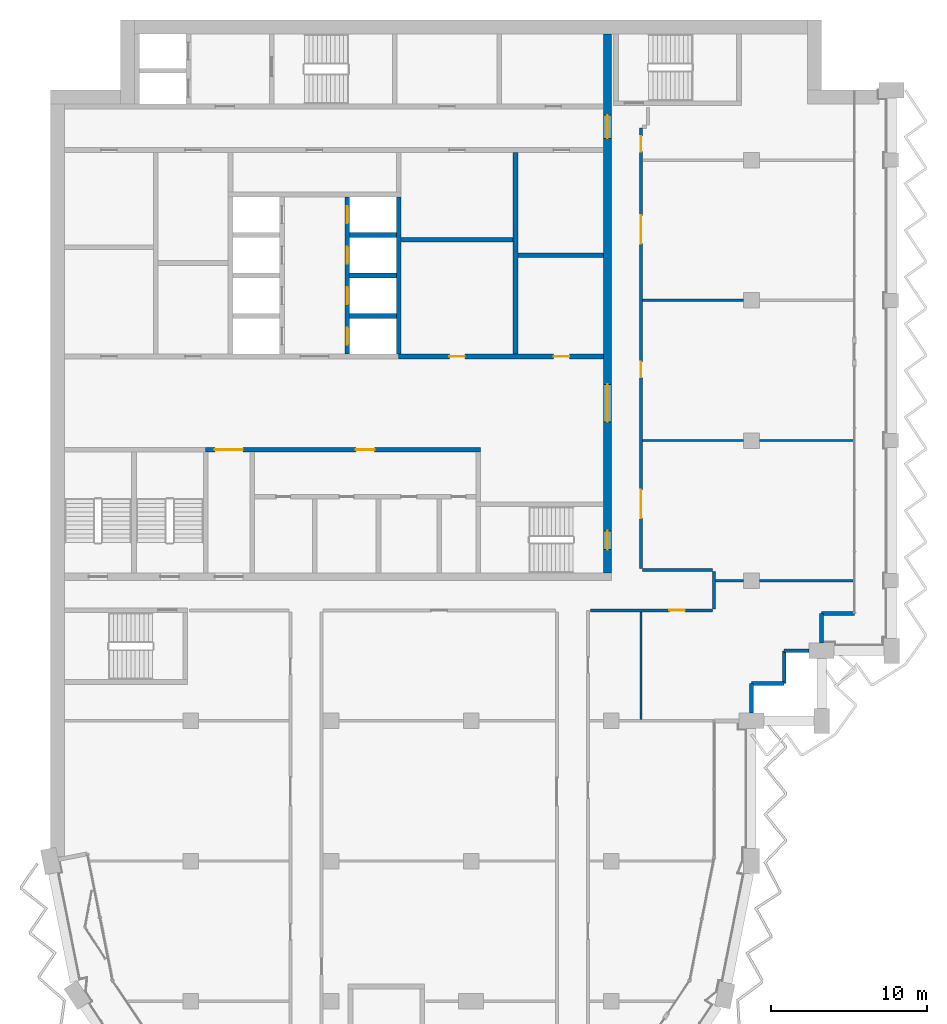
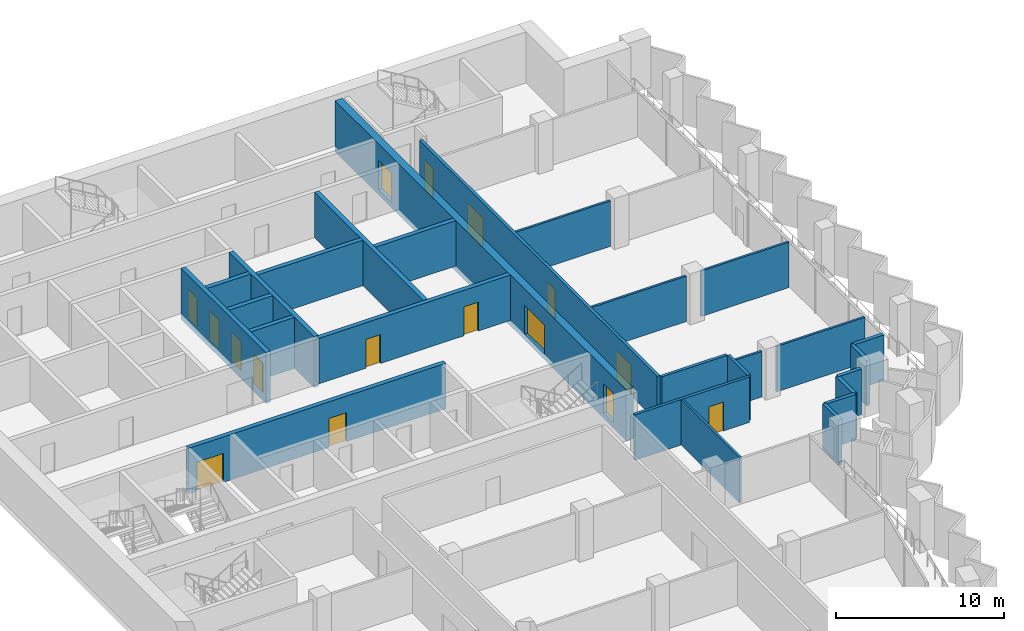
# One storey, part 10 of 17: 27 walls, 16 doors, 16 openings.
"""IFC4 building model written with IfcOpenShell, lengths in metres."""

from ifc_helpers import new_model, si_unit, direction, frame, frame_2d, origin, place, context, subcontext, project, spatial, rectangle, extrude, material, layer, layer_set, type_object, element, fill, save


model = new_model("IFC4")

# Units and contexts
model_context = context("Model", 3, precision=1e-05, world=origin(), true_north=direction((0.0, 1.0)))
body_context = subcontext(model_context, "Body", "Model", "MODEL_VIEW")
ifc_project = project(units=[si_unit("LENGTHUNIT", "METRE"), si_unit("AREAUNIT", "SQUARE_METRE"), si_unit("VOLUMEUNIT", "CUBIC_METRE"), si_unit("PLANEANGLEUNIT", "RADIAN"), si_unit("MASSUNIT", "GRAM", prefix="KILO")], contexts=[model_context])

# Site, building, storey
site_placement = place(None, origin())
site = spatial("IfcSite", under=ifc_project, at=site_placement, CompositionType="ELEMENT")
building_placement = place(site_placement, origin())
building = spatial("IfcBuilding", under=site, at=building_placement, Name="Hunhe Ridgeline Campus", CompositionType="ELEMENT")
storey_placement = place(building_placement, frame((0.0, 0.0, 268.800048828125)))
storey = spatial("IfcBuildingStorey", under=building, at=storey_placement, Name="L69", CompositionType="ELEMENT", Elevation=268.800048828125)

# Wall, openings, doors
ifc_material_1 = material(Name="Masonry concrete blockwork", Category="masonry")
ifc_layer_1 = layer(ifc_material_1, 0.300048828125)
ifc_layer_set_1 = layer_set([ifc_layer_1], Name="Core room partition 300 concrete block")
wall_type_1 = type_object("IfcWallType", Name="Core room partition 300 concrete block", PredefinedType="PARTITIONING", material=ifc_layer_set_1)
wall_1_placement = place(storey_placement, frame((9.949951171875, 71.39990234375, 0.0), z_axis=(0.0, 0.0, 1.0), x_axis=(1.0, 0.0, 0.0)))
wall_1 = element("IfcWall", 1, at=wall_1_placement, inside=storey, type_object=wall_type_1, Name="L69 core partition 9", PredefinedType="PARTITIONING", context=body_context, shape_type="SweptSolid", body=[
    extrude(rectangle(XDim=17.650146484375, YDim=0.300048828125, at=frame_2d((8.8251953125, 0.0))), origin(), (0.0, 0.0, 1.0), 3.300048828125),
])
opening_1_placement = place(wall_1_placement, frame((0.60009765625, 0.0, 0.0)))
opening_1 = element("IfcOpeningElement", 2, at=opening_1_placement, cuts=wall_1, Name="Opening CD7", PredefinedType="OPENING", context=body_context, shape_type="SweptSolid", body=[
    extrude(rectangle(XDim=1.800048828125, YDim=2.10009765625, at=frame_2d((0.89990234375, 1.050048828125))), frame((0.0, 0.14990234375, 0.0), z_axis=(0.0, -1.0, 0.0), x_axis=(1.0, 0.0, 0.0)), (0.0, 0.0, 1.0), 0.300048828125),
])
opening_2_placement = place(wall_1_placement, frame((9.64990234375, 0.0, 0.0)))
opening_2 = element("IfcOpeningElement", 3, at=opening_2_placement, cuts=wall_1, Name="Opening CD12", PredefinedType="OPENING", context=body_context, shape_type="SweptSolid", body=[
    extrude(rectangle(XDim=1.199951171875, YDim=2.10009765625, at=frame_2d((0.60009765625, 1.050048828125))), frame((0.0, 0.14990234375, 0.0), z_axis=(0.0, -1.0, 0.0), x_axis=(1.0, 0.0, 0.0)), (0.0, 0.0, 1.0), 0.300048828125),
])
ifc_material_2 = material(Name="Anodised aluminium and glass", Category="aluminium")
door_type_1 = type_object("IfcDoorType", Name="Glazed double door 1800x2100", OperationType="DOUBLE_DOOR_SINGLE_SWING", PredefinedType="DOOR", material=ifc_material_2)
door_1_placement = place(opening_1_placement, origin())
door_1 = element("IfcDoor", 4, at=door_1_placement, inside=storey, type_object=door_type_1, Name="L69 door VEST-HALL", OperationType="DOUBLE_DOOR_SINGLE_SWING", OverallHeight=2.10009765625, OverallWidth=1.800048828125, PredefinedType="DOOR", context=body_context, shape_type="SweptSolid", body=[
    extrude(rectangle(XDim=1.800048828125, YDim=2.10009765625, at=frame_2d((0.89990234375, 1.050048828125))), frame((0.0, 0.02490234375, 0.0), z_axis=(0.0, -1.0, 0.0), x_axis=(1.0, 0.0, 0.0)), (0.0, 0.0, 1.0), 0.050048828125),
])
fill(opening_1, door_1)
ifc_material_3 = material(Name="Solid core timber door leaf", Category="wood")
door_type_2 = type_object("IfcDoorType", Name="Timber door 1200x2100", OperationType="SINGLE_SWING_LEFT", PredefinedType="DOOR", material=ifc_material_3)
door_2_placement = place(opening_2_placement, origin())
door_2 = element("IfcDoor", 5, at=door_2_placement, inside=storey, type_object=door_type_2, Name="L69 door WCL2-HALL", OperationType="SINGLE_SWING_RIGHT", OverallHeight=2.10009765625, OverallWidth=1.199951171875, PredefinedType="DOOR", context=body_context, shape_type="SweptSolid", body=[
    extrude(rectangle(XDim=1.199951171875, YDim=2.10009765625, at=frame_2d((0.60009765625, 1.050048828125))), frame((0.0, 0.02490234375, 0.0), z_axis=(0.0, -1.0, 0.0), x_axis=(1.0, 0.0, 0.0)), (0.0, 0.0, 1.0), 0.050048828125),
])
fill(opening_2, door_2)

wall_2_placement = place(storey_placement, frame((22.35009765625, 77.39990234375, 0.0), z_axis=(0.0, 0.0, 1.0), x_axis=(1.0, 0.0, 0.0)))
wall_2 = element("IfcWall", 6, at=wall_2_placement, inside=storey, type_object=wall_type_1, Name="L69 core partition 11", PredefinedType="PARTITIONING", context=body_context, shape_type="SweptSolid", body=[
    extrude(rectangle(XDim=13.14990234375, YDim=0.300048828125, at=frame_2d((6.574951171875, 0.0))), origin(), (0.0, 0.0, 1.0), 3.300048828125),
])
opening_3_placement = place(wall_2_placement, frame((3.25, 0.0, 0.0)))
opening_3 = element("IfcOpeningElement", 7, at=opening_3_placement, cuts=wall_2, Name="Opening CD32", PredefinedType="OPENING", context=body_context, shape_type="SweptSolid", body=[
    extrude(rectangle(XDim=1.0, YDim=2.10009765625, at=frame_2d((0.5, 1.050048828125))), frame((0.0, 0.14990234375, 0.0), z_axis=(0.0, -1.0, 0.0), x_axis=(1.0, 0.0, 0.0)), (0.0, 0.0, 1.0), 0.300048828125),
])
opening_4_placement = place(wall_2_placement, frame((9.949951171875, 0.0, 0.0)))
opening_4 = element("IfcOpeningElement", 8, at=opening_4_placement, cuts=wall_2, Name="Opening CD42", PredefinedType="OPENING", context=body_context, shape_type="SweptSolid", body=[
    extrude(rectangle(XDim=1.0, YDim=2.10009765625, at=frame_2d((0.5, 1.050048828125))), frame((0.0, 0.14990234375, 0.0), z_axis=(0.0, -1.0, 0.0), x_axis=(1.0, 0.0, 0.0)), (0.0, 0.0, 1.0), 0.300048828125),
])
door_type_3 = type_object("IfcDoorType", Name="Timber door 1000x2100", OperationType="SINGLE_SWING_LEFT", PredefinedType="DOOR", material=ifc_material_3)
door_3_placement = place(opening_3_placement, origin())
door_3 = element("IfcDoor", 9, at=door_3_placement, inside=storey, type_object=door_type_3, Name="L69 door ES0", OperationType="SINGLE_SWING_LEFT", OverallHeight=2.10009765625, OverallWidth=1.0, PredefinedType="DOOR", context=body_context, shape_type="SweptSolid", body=[
    extrude(rectangle(XDim=1.0, YDim=2.10009765625, at=frame_2d((0.5, 1.050048828125))), frame((0.0, 0.02490234375, 0.0), z_axis=(0.0, -1.0, 0.0), x_axis=(1.0, 0.0, 0.0)), (0.0, 0.0, 1.0), 0.050048828125),
])
fill(opening_3, door_3)
door_4_placement = place(opening_4_placement, origin())
door_4 = element("IfcDoor", 10, at=door_4_placement, inside=storey, type_object=door_type_3, Name="L69 door ES2", OperationType="SINGLE_SWING_LEFT", OverallHeight=2.10009765625, OverallWidth=1.0, PredefinedType="DOOR", context=body_context, shape_type="SweptSolid", body=[
    extrude(rectangle(XDim=1.0, YDim=2.10009765625, at=frame_2d((0.5, 1.050048828125))), frame((0.0, 0.02490234375, 0.0), z_axis=(0.0, -1.0, 0.0), x_axis=(1.0, 0.0, 0.0)), (0.0, 0.0, 1.0), 0.050048828125),
])
fill(opening_4, door_4)

# Walls
wall_3_placement = place(storey_placement, frame((30.0, 83.89990234375, 0.0), z_axis=(0.0, 0.0, 1.0), x_axis=(1.0, 0.0, 0.0)))
element("IfcWall", 11, at=wall_3_placement, inside=storey, type_object=wall_type_1, Name="L69 core partition 17", PredefinedType="PARTITIONING", context=body_context, shape_type="SweptSolid", body=[
    extrude(rectangle(XDim=5.5, YDim=0.300048828125, at=frame_2d((2.75, 0.0))), origin(), (0.0, 0.0, 1.0), 3.300048828125),
])
wall_4_placement = place(storey_placement, frame((22.5, 84.89990234375, 0.0), z_axis=(0.0, 0.0, 1.0), x_axis=(1.0, 0.0, 0.0)))
element("IfcWall", 12, at=wall_4_placement, inside=storey, type_object=wall_type_1, Name="L69 core partition 19", PredefinedType="PARTITIONING", context=body_context, shape_type="SweptSolid", body=[
    extrude(rectangle(XDim=7.199951171875, YDim=0.300048828125, at=frame_2d((3.60009765625, 0.0))), origin(), (0.0, 0.0, 1.0), 3.300048828125),
])
wall_5_placement = place(storey_placement, frame((29.85009765625, 77.550048828125, 0.0), z_axis=(0.0, 0.0, 1.0), x_axis=(0.0, 1.0, 0.0)))
element("IfcWall", 13, at=wall_5_placement, inside=storey, type_object=wall_type_1, Name="L69 core partition 50", PredefinedType="PARTITIONING", context=body_context, shape_type="SweptSolid", body=[
    extrude(rectangle(XDim=12.949951171875, YDim=0.300048828125, at=frame_2d((6.47509765625, 0.0))), origin(), (0.0, 0.0, 1.0), 3.300048828125),
])

# Wall, openings, doors
ifc_material_4 = material(Name="Concrete C50", Category="concrete")
ifc_layer_2 = layer(ifc_material_4, 0.5)
ifc_layer_set_2 = layer_set([ifc_layer_2], Name="Core wall 500 reinforced concrete C50")
wall_type_2 = type_object("IfcWallType", Name="Core wall 500 reinforced concrete C50", PredefinedType="SOLIDWALL", material=ifc_layer_set_2)
wall_6_placement = place(storey_placement, frame((35.75, 63.5, -0.400146484375), z_axis=(0.0, 0.0, 1.0), x_axis=(0.0, 1.0, 0.0)))
wall_6 = element("IfcWall", 14, at=wall_6_placement, inside=storey, type_object=wall_type_2, Name="L69 core wall 51", PredefinedType="SOLIDWALL", context=body_context, shape_type="SweptSolid", body=[
    extrude(rectangle(XDim=34.60009765625, YDim=0.5, at=frame_2d((17.300048828125, 0.0))), origin(), (0.0, 0.0, 1.0), 3.7001953125),
])
opening_5_placement = place(wall_6_placement, frame((9.699951171875, 0.0, 0.39990234375)))
opening_5 = element("IfcOpeningElement", 15, at=opening_5_placement, cuts=wall_6, Name="Opening CD4", PredefinedType="OPENING", context=body_context, shape_type="SweptSolid", body=[
    extrude(rectangle(XDim=2.39990234375, YDim=2.10009765625, at=frame_2d((1.199951171875, 1.050048828125))), frame((0.0, 0.25, 0.0), z_axis=(0.0, -1.0, 0.0), x_axis=(1.0, 0.0, 0.0)), (0.0, 0.0, 1.0), 0.5),
])
opening_6_placement = place(wall_6_placement, frame((27.89990234375, 0.0, 0.39990234375)))
opening_6 = element("IfcOpeningElement", 16, at=opening_6_placement, cuts=wall_6, Name="Opening CD5", PredefinedType="OPENING", context=body_context, shape_type="SweptSolid", body=[
    extrude(rectangle(XDim=1.5, YDim=2.10009765625, at=frame_2d((0.75, 1.050048828125))), frame((0.0, 0.25, 0.0), z_axis=(0.0, -1.0, 0.0), x_axis=(1.0, 0.0, 0.0)), (0.0, 0.0, 1.0), 0.5),
])
opening_7_placement = place(wall_6_placement, frame((1.5, 0.0, 0.39990234375)))
opening_7 = element("IfcOpeningElement", 17, at=opening_7_placement, cuts=wall_6, Name="Opening CD15", PredefinedType="OPENING", context=body_context, shape_type="SweptSolid", body=[
    extrude(rectangle(XDim=1.199951171875, YDim=2.10009765625, at=frame_2d((0.60009765625, 1.050048828125))), frame((0.0, 0.25, 0.0), z_axis=(0.0, -1.0, 0.0), x_axis=(1.0, 0.0, 0.0)), (0.0, 0.0, 1.0), 0.5),
])
door_type_4 = type_object("IfcDoorType", Name="Glazed double door 2400x2100", OperationType="DOUBLE_DOOR_SINGLE_SWING", PredefinedType="DOOR", material=ifc_material_2)
door_5_placement = place(opening_5_placement, frame((2.39990234375, 0.0, 0.0), z_axis=(0.0, 0.0, 1.0), x_axis=(-1.0, 0.0, 0.0)))
door_5 = element("IfcDoor", 18, at=door_5_placement, inside=storey, type_object=door_type_4, Name="L69 door HALL-FLOOR", OperationType="DOUBLE_DOOR_SINGLE_SWING", OverallHeight=2.10009765625, OverallWidth=2.39990234375, PredefinedType="DOOR", context=body_context, shape_type="SweptSolid", body=[
    extrude(rectangle(XDim=2.39990234375, YDim=2.10009765625, at=frame_2d((1.199951171875, 1.050048828125))), frame((0.0, 0.02490234375, 0.0), z_axis=(0.0, -1.0, 0.0), x_axis=(1.0, 0.0, 0.0)), (0.0, 0.0, 1.0), 0.050048828125),
])
fill(opening_5, door_5)
ifc_material_5 = material(Name="Hollow metal fire door leaf")
door_type_5 = type_object("IfcDoorType", Name="Stair door 1200x2100 FD60", OperationType="SINGLE_SWING_LEFT", PredefinedType="DOOR", material=ifc_material_5)
door_6_placement = place(opening_7_placement, frame((1.199951171875, 0.0, 0.0), z_axis=(0.0, 0.0, 1.0), x_axis=(-1.0, 0.0, 0.0)))
door_6 = element("IfcDoor", 19, at=door_6_placement, inside=storey, type_object=door_type_5, Name="L69 door S2-FLOOR", OperationType="SINGLE_SWING_LEFT", OverallHeight=2.10009765625, OverallWidth=1.199951171875, PredefinedType="DOOR", context=body_context, shape_type="SweptSolid", body=[
    extrude(rectangle(XDim=1.199951171875, YDim=2.10009765625, at=frame_2d((0.60009765625, 1.050048828125))), frame((0.0, 0.02490234375, 0.0), z_axis=(0.0, -1.0, 0.0), x_axis=(1.0, 0.0, 0.0)), (0.0, 0.0, 1.0), 0.050048828125),
])
fill(opening_7, door_6)
door_type_6 = type_object("IfcDoorType", Name="Timber door 1500x2100", OperationType="SINGLE_SWING_LEFT", PredefinedType="DOOR", material=ifc_material_3)
door_7_placement = place(opening_6_placement, frame((1.5, 0.0, 0.0), z_axis=(0.0, 0.0, 1.0), x_axis=(-1.0, 0.0, 0.0)))
door_7 = element("IfcDoor", 20, at=door_7_placement, inside=storey, type_object=door_type_6, Name="L69 door C1-FLOOR", OperationType="SINGLE_SWING_LEFT", OverallHeight=2.10009765625, OverallWidth=1.5, PredefinedType="DOOR", context=body_context, shape_type="SweptSolid", body=[
    extrude(rectangle(XDim=1.5, YDim=2.10009765625, at=frame_2d((0.75, 1.050048828125))), frame((0.0, 0.02490234375, 0.0), z_axis=(0.0, -1.0, 0.0), x_axis=(1.0, 0.0, 0.0)), (0.0, 0.0, 1.0), 0.050048828125),
])
fill(opening_6, door_7)

# Walls
ifc_material_6 = material(Name="Concrete C30", Category="concrete")
ifc_layer_3 = layer(ifc_material_6, 0.25)
ifc_layer_set_3 = layer_set([ifc_layer_3], Name="Corner return wall 250 Concrete C30")
wall_type_3 = type_object("IfcWallType", Name="Corner return wall 250 Concrete C30", PredefinedType="SOLIDWALL", material=ifc_layer_set_3)
wall_7_placement = place(storey_placement, frame((44.9990234375, 54.5, 0.0), z_axis=(0.0, 0.0, 1.0), x_axis=(0.000128452151, 0.99999999175, 0.0)))
element("IfcWall", 21, at=wall_7_placement, inside=storey, type_object=wall_type_3, Name="Corner return wall 3", PredefinedType="SOLIDWALL", context=body_context, shape_type="SweptSolid", body=[
    extrude(rectangle(XDim=1.900634765625, YDim=0.25, at=frame_2d((0.9501953125, 0.0))), origin(), (0.0, 0.0, 1.0), 3.300048828125),
])
wall_8_placement = place(storey_placement, frame((44.999267578125, 56.400634765625, 0.0), z_axis=(0.0, 0.0, 1.0), x_axis=(0.999999993241, 0.00011626555, 0.0)))
element("IfcWall", 22, at=wall_8_placement, inside=storey, type_object=wall_type_3, Name="Corner return wall 4", PredefinedType="SOLIDWALL", context=body_context, shape_type="SweptSolid", body=[
    extrude(rectangle(XDim=2.099853515625, YDim=0.25, at=frame_2d((1.0498046875, 0.0))), origin(), (0.0, 0.0, 1.0), 3.300048828125),
])
wall_9_placement = place(storey_placement, frame((47.09912109375, 56.40087890625, 0.0), z_axis=(0.0, 0.0, 1.0), x_axis=(0.000232504063, 0.999999972971, 0.0)))
element("IfcWall", 23, at=wall_9_placement, inside=storey, type_object=wall_type_3, Name="Corner return wall 5", PredefinedType="SOLIDWALL", context=body_context, shape_type="SweptSolid", body=[
    extrude(rectangle(XDim=2.10009765625, YDim=0.25, at=frame_2d((1.050048828125, 0.0))), origin(), (0.0, 0.0, 1.0), 3.300048828125),
])
wall_10_placement = place(storey_placement, frame((47.099609375, 58.5009765625, 0.0), z_axis=(0.0, 0.0, 1.0), x_axis=(1.0, 0.0, 0.0)))
element("IfcWall", 24, at=wall_10_placement, inside=storey, type_object=wall_type_3, Name="Corner return wall 6", PredefinedType="SOLIDWALL", context=body_context, shape_type="SweptSolid", body=[
    extrude(rectangle(XDim=1.600341796875, YDim=0.25, at=frame_2d((0.80029296875, 0.0))), origin(), (0.0, 0.0, 1.0), 3.300048828125),
])
wall_11_placement = place(storey_placement, frame((49.4990234375, 59.0, 0.0), z_axis=(0.0, 0.0, 1.0), x_axis=(0.000256871299, 0.999999967009, 0.0)))
element("IfcWall", 25, at=wall_11_placement, inside=storey, type_object=wall_type_3, Name="Corner return wall 7", PredefinedType="SOLIDWALL", context=body_context, shape_type="SweptSolid", body=[
    extrude(rectangle(XDim=1.90087890625, YDim=0.25, at=frame_2d((0.950439453125, 0.0))), origin(), (0.0, 0.0, 1.0), 3.300048828125),
])
wall_12_placement = place(storey_placement, frame((49.49951171875, 60.90087890625, 0.0), z_axis=(0.0, 0.0, 1.0), x_axis=(1.0, 0.0, 0.0)))
element("IfcWall", 26, at=wall_12_placement, inside=storey, type_object=wall_type_3, Name="Corner return wall 8", PredefinedType="SOLIDWALL", context=body_context, shape_type="SweptSolid", body=[
    extrude(rectangle(XDim=2.099609375, YDim=0.25, at=frame_2d((1.0498046875, 0.0))), origin(), (0.0, 0.0, 1.0), 3.300048828125),
])

# Wall, opening, door
ifc_material_7 = material(Name="Gypsum board partition")
ifc_layer_4 = layer(ifc_material_7, 0.199951171875)
ifc_layer_set_4 = layer_set([ifc_layer_4], Name="Corridor partition 200 gypsum board on steel studs")
wall_type_4 = type_object("IfcWallType", Name="Corridor partition 200 gypsum board on steel studs", PredefinedType="PARTITIONING", material=ifc_layer_set_4)
wall_13_placement = place(storey_placement, frame((42.5, 61.10009765625, 0.0), z_axis=(0.0, 0.0, 1.0), x_axis=(-1.0, 0.0, 0.0)))
wall_13 = element("IfcWall", 27, at=wall_13_placement, inside=storey, type_object=wall_type_4, Name="F-L69-wall-026", PredefinedType="PARTITIONING", context=body_context, shape_type="SweptSolid", body=[
    extrude(rectangle(XDim=7.828369140625, YDim=0.199951171875, at=frame_2d((3.9140625, 0.0))), origin(), (0.0, 0.0, 1.0), 3.300048828125),
])
opening_8_placement = place(wall_13_placement, frame((1.772705078125, 0.0, 0.0)))
opening_8 = element("IfcOpeningElement", 28, at=opening_8_placement, cuts=wall_13, Name="Opening RD1-013", PredefinedType="OPENING", context=body_context, shape_type="SweptSolid", body=[
    extrude(rectangle(XDim=1.0, YDim=2.10009765625, at=frame_2d((0.5, 1.050048828125))), frame((0.0, 0.10009765625, 0.0), z_axis=(0.0, -1.0, 0.0), x_axis=(1.0, 0.0, 0.0)), (0.0, 0.0, 1.0), 0.199951171875),
])
ifc_material_8 = material(Name="Timber door leaf", Category="wood")
door_type_7 = type_object("IfcDoorType", Name="Single fire door 1000x2100 timber FD60", OperationType="NOTDEFINED", PredefinedType="DOOR", material=ifc_material_8)
door_8_placement = place(opening_8_placement, origin())
door_8 = element("IfcDoor", 29, at=door_8_placement, inside=storey, type_object=door_type_7, Name="F-L69-door-013", OperationType="SINGLE_SWING_LEFT", OverallHeight=2.10009765625, OverallWidth=1.0, PredefinedType="DOOR", context=body_context, shape_type="SweptSolid", body=[
    extrude(rectangle(XDim=1.0, YDim=2.10009765625, at=frame_2d((0.5, 1.050048828125))), frame((0.0, 0.02490234375, 0.0), z_axis=(0.0, -1.0, 0.0), x_axis=(1.0, 0.0, 0.0)), (0.0, 0.0, 1.0), 0.050048828125),
])
fill(opening_8, door_8)

# Wall
wall_14_placement = place(storey_placement, frame((38.0, 63.699951171875, 0.0), z_axis=(0.0, 0.0, 1.0), x_axis=(1.0, 0.0, 0.0)))
element("IfcWall", 30, at=wall_14_placement, inside=storey, type_object=wall_type_4, Name="F-L69-wall-029", PredefinedType="PARTITIONING", context=body_context, shape_type="SweptSolid", body=[
    extrude(rectangle(XDim=4.5, YDim=0.199951171875, at=frame_2d((2.25, 0.0))), origin(), (0.0, 0.0, 1.0), 3.300048828125),
])

# Wall, openings, doors
wall_15_placement = place(storey_placement, frame((37.89990234375, 92.050048828125, 0.0), z_axis=(0.0, 0.0, 1.0), x_axis=(0.0, -1.0, 0.0)))
wall_15 = element("IfcWall", 31, at=wall_15_placement, inside=storey, type_object=wall_type_4, Name="F-L69-wall-046", PredefinedType="PARTITIONING", context=body_context, shape_type="SweptSolid", body=[
    extrude(rectangle(XDim=28.25, YDim=0.199951171875, at=frame_2d((14.125, 0.0))), origin(), (0.0, 0.0, 1.0), 3.300048828125),
])
opening_9_placement = place(wall_15_placement, frame((23.22509765625, 0.0, 0.0)))
opening_9 = element("IfcOpeningElement", 32, at=opening_9_placement, cuts=wall_15, Name="Opening RD2-014", PredefinedType="OPENING", context=body_context, shape_type="SweptSolid", body=[
    extrude(rectangle(XDim=1.800048828125, YDim=2.10009765625, at=frame_2d((0.89990234375, 1.050048828125))), frame((0.0, 0.10009765625, 0.0), z_axis=(0.0, -1.0, 0.0), x_axis=(1.0, 0.0, 0.0)), (0.0, 0.0, 1.0), 0.199951171875),
])
opening_10_placement = place(wall_15_placement, frame((15.0, 0.0, 0.0)))
opening_10 = element("IfcOpeningElement", 33, at=opening_10_placement, cuts=wall_15, Name="Opening RD1-015", PredefinedType="OPENING", context=body_context, shape_type="SweptSolid", body=[
    extrude(rectangle(XDim=1.0, YDim=2.10009765625, at=frame_2d((0.5, 1.050048828125))), frame((0.0, 0.10009765625, 0.0), z_axis=(0.0, -1.0, 0.0), x_axis=(1.0, 0.0, 0.0)), (0.0, 0.0, 1.0), 0.199951171875),
])
opening_11_placement = place(wall_15_placement, frame((5.60009765625, 0.0, 0.0)))
opening_11 = element("IfcOpeningElement", 34, at=opening_11_placement, cuts=wall_15, Name="Opening RD2-016", PredefinedType="OPENING", context=body_context, shape_type="SweptSolid", body=[
    extrude(rectangle(XDim=1.800048828125, YDim=2.10009765625, at=frame_2d((0.89990234375, 1.050048828125))), frame((0.0, 0.10009765625, 0.0), z_axis=(0.0, -1.0, 0.0), x_axis=(1.0, 0.0, 0.0)), (0.0, 0.0, 1.0), 0.199951171875),
])
opening_12_placement = place(wall_15_placement, frame((0.5, 0.0, 0.0)))
opening_12 = element("IfcOpeningElement", 35, at=opening_12_placement, cuts=wall_15, Name="Opening RD1-017", PredefinedType="OPENING", context=body_context, shape_type="SweptSolid", body=[
    extrude(rectangle(XDim=1.0, YDim=2.10009765625, at=frame_2d((0.5, 1.050048828125))), frame((0.0, 0.10009765625, 0.0), z_axis=(0.0, -1.0, 0.0), x_axis=(1.0, 0.0, 0.0)), (0.0, 0.0, 1.0), 0.199951171875),
])
door_type_8 = type_object("IfcDoorType", Name="Double fire door 1800x2100 timber FD60", OperationType="DOUBLE_DOOR_SINGLE_SWING", PredefinedType="DOOR", material=ifc_material_8)
door_9_placement = place(opening_9_placement, origin())
door_9 = element("IfcDoor", 36, at=door_9_placement, inside=storey, type_object=door_type_8, Name="F-L69-door-014", OperationType="DOUBLE_DOOR_SINGLE_SWING", OverallHeight=2.10009765625, OverallWidth=1.800048828125, PredefinedType="DOOR", context=body_context, shape_type="SweptSolid", body=[
    extrude(rectangle(XDim=1.800048828125, YDim=2.10009765625, at=frame_2d((0.89990234375, 1.050048828125))), frame((0.0, 0.02490234375, 0.0), z_axis=(0.0, -1.0, 0.0), x_axis=(1.0, 0.0, 0.0)), (0.0, 0.0, 1.0), 0.050048828125),
])
fill(opening_9, door_9)
door_10_placement = place(opening_11_placement, origin())
door_10 = element("IfcDoor", 37, at=door_10_placement, inside=storey, type_object=door_type_8, Name="F-L69-door-016", OperationType="DOUBLE_DOOR_SINGLE_SWING", OverallHeight=2.10009765625, OverallWidth=1.800048828125, PredefinedType="DOOR", context=body_context, shape_type="SweptSolid", body=[
    extrude(rectangle(XDim=1.800048828125, YDim=2.10009765625, at=frame_2d((0.89990234375, 1.050048828125))), frame((0.0, 0.02490234375, 0.0), z_axis=(0.0, -1.0, 0.0), x_axis=(1.0, 0.0, 0.0)), (0.0, 0.0, 1.0), 0.050048828125),
])
fill(opening_11, door_10)
door_11_placement = place(opening_10_placement, origin())
door_11 = element("IfcDoor", 38, at=door_11_placement, inside=storey, type_object=door_type_7, Name="F-L69-door-015", OperationType="SINGLE_SWING_LEFT", OverallHeight=2.10009765625, OverallWidth=1.0, PredefinedType="DOOR", context=body_context, shape_type="SweptSolid", body=[
    extrude(rectangle(XDim=1.0, YDim=2.10009765625, at=frame_2d((0.5, 1.050048828125))), frame((0.0, 0.02490234375, 0.0), z_axis=(0.0, -1.0, 0.0), x_axis=(1.0, 0.0, 0.0)), (0.0, 0.0, 1.0), 0.050048828125),
])
fill(opening_10, door_11)
door_12_placement = place(opening_12_placement, origin())
door_12 = element("IfcDoor", 39, at=door_12_placement, inside=storey, type_object=door_type_7, Name="F-L69-door-017", OperationType="SINGLE_SWING_LEFT", OverallHeight=2.10009765625, OverallWidth=1.0, PredefinedType="DOOR", context=body_context, shape_type="SweptSolid", body=[
    extrude(rectangle(XDim=1.0, YDim=2.10009765625, at=frame_2d((0.5, 1.050048828125))), frame((0.0, 0.02490234375, 0.0), z_axis=(0.0, -1.0, 0.0), x_axis=(1.0, 0.0, 0.0)), (0.0, 0.0, 1.0), 0.050048828125),
])
fill(opening_12, door_12)

# Walls
wall_16_placement = place(storey_placement, frame((42.60009765625, 63.60009765625, 0.0), z_axis=(0.0, 0.0, 1.0), x_axis=(0.0, -1.0, 0.0)))
element("IfcWall", 40, at=wall_16_placement, inside=storey, type_object=wall_type_4, Name="F-L69-wall-048", PredefinedType="PARTITIONING", context=body_context, shape_type="SweptSolid", body=[
    extrude(rectangle(XDim=2.400146484375, YDim=0.199951171875, at=frame_2d((1.2001953125, 0.0))), origin(), (0.0, 0.0, 1.0), 3.300048828125),
])
ifc_layer_5 = layer(ifc_material_7, 0.14990234375)
ifc_layer_set_5 = layer_set([ifc_layer_5], Name="Room partition 150 gypsum board on steel studs")
wall_type_5 = type_object("IfcWallType", Name="Room partition 150 gypsum board on steel studs", PredefinedType="PARTITIONING", material=ifc_layer_set_5)
wall_17_placement = place(storey_placement, frame((42.699951171875, 63.0, 0.0), z_axis=(0.0, 0.0, 1.0), x_axis=(1.0, 0.0, 0.0)))
element("IfcWall", 41, at=wall_17_placement, inside=storey, type_object=wall_type_5, Name="F-L69-wall-027", PredefinedType="PARTITIONING", context=body_context, shape_type="SweptSolid", body=[
    extrude(rectangle(XDim=1.800048828125, YDim=0.14990234375, at=frame_2d((0.89990234375, 0.0))), origin(), (0.0, 0.0, 1.0), 3.300048828125),
])
wall_18_placement = place(storey_placement, frame((45.5, 63.0, 0.0), z_axis=(0.0, 0.0, 1.0), x_axis=(1.0, 0.0, 0.0)))
element("IfcWall", 42, at=wall_18_placement, inside=storey, type_object=wall_type_5, Name="F-L69-wall-028", PredefinedType="PARTITIONING", context=body_context, shape_type="SweptSolid", body=[
    extrude(rectangle(XDim=6.044921875, YDim=0.14990234375, at=frame_2d((3.0224609375, 0.0))), origin(), (0.0, 0.0, 1.0), 3.300048828125),
])
wall_19_placement = place(storey_placement, frame((38.0, 72.0, 0.0), z_axis=(0.0, 0.0, 1.0), x_axis=(1.0, 0.0, 0.0)))
element("IfcWall", 43, at=wall_19_placement, inside=storey, type_object=wall_type_5, Name="F-L69-wall-030", PredefinedType="PARTITIONING", context=body_context, shape_type="SweptSolid", body=[
    extrude(rectangle(XDim=6.5, YDim=0.14990234375, at=frame_2d((3.25, 0.0))), origin(), (0.0, 0.0, 1.0), 3.300048828125),
])
wall_20_placement = place(storey_placement, frame((45.5, 72.0, 0.0), z_axis=(0.0, 0.0, 1.0), x_axis=(1.0, 0.0, 0.0)))
element("IfcWall", 44, at=wall_20_placement, inside=storey, type_object=wall_type_5, Name="F-L69-wall-031", PredefinedType="PARTITIONING", context=body_context, shape_type="SweptSolid", body=[
    extrude(rectangle(XDim=6.044921875, YDim=0.14990234375, at=frame_2d((3.0224609375, 0.0))), origin(), (0.0, 0.0, 1.0), 3.300048828125),
])
wall_21_placement = place(storey_placement, frame((38.0, 81.0, 0.0), z_axis=(0.0, 0.0, 1.0), x_axis=(1.0, 0.0, 0.0)))
element("IfcWall", 45, at=wall_21_placement, inside=storey, type_object=wall_type_5, Name="F-L69-wall-032", PredefinedType="PARTITIONING", context=body_context, shape_type="SweptSolid", body=[
    extrude(rectangle(XDim=6.5, YDim=0.14990234375, at=frame_2d((3.25, 0.0))), origin(), (0.0, 0.0, 1.0), 3.300048828125),
])
wall_22_placement = place(storey_placement, frame((37.89990234375, 61.0, 0.0), z_axis=(0.0, 0.0, 1.0), x_axis=(0.0, -1.0, 0.0)))
element("IfcWall", 46, at=wall_22_placement, inside=storey, type_object=wall_type_5, Name="F-L69-wall-045", PredefinedType="PARTITIONING", context=body_context, shape_type="SweptSolid", body=[
    extrude(rectangle(XDim=6.925048828125, YDim=0.14990234375, at=frame_2d((3.46240234375, 0.0))), origin(), (0.0, 0.0, 1.0), 3.300048828125),
])
ifc_layer_6 = layer(ifc_material_4, 0.300048828125)
ifc_layer_set_6 = layer_set([ifc_layer_6], Name="Shaft wall 300 reinforced concrete C50")
wall_type_6 = type_object("IfcWallType", Name="Shaft wall 300 reinforced concrete C50", PredefinedType="SOLIDWALL", material=ifc_layer_set_6)
for number, where, z_axis, x_axis, name in (
    (47, (19.199951171875, 80.0, -0.400146484375), (0.0, 0.0, 1.0), (1.0, 0.0, 0.0), "L69 core wall 13"),
    (48, (19.199951171875, 82.60009765625, -0.400146484375), (0.0, 0.0, 1.0), (1.0, 0.0, 0.0), "L69 core wall 15"),
    (49, (19.199951171875, 85.199951171875, -0.400146484375), (0.0, 0.0, 1.0), (1.0, 0.0, 0.0), "L69 core wall 21"),
):
    element("IfcWall", number, at=place(storey_placement, frame(where, z_axis=z_axis, x_axis=x_axis)), inside=storey, type_object=wall_type_6, Name=name, PredefinedType="SOLIDWALL", context=body_context, shape_type="SweptSolid", body=[
        extrude(rectangle(XDim=3.0, YDim=0.300048828125, at=frame_2d((1.5, 0.0))), origin(), (0.0, 0.0, 1.0), 3.7001953125),
    ])

# Wall, openings, doors
wall_23_placement = place(storey_placement, frame((19.050048828125, 77.550048828125, -0.400146484375), z_axis=(0.0, 0.0, 1.0), x_axis=(0.0, 1.0, 0.0)))
wall_23 = element("IfcWall", 50, at=wall_23_placement, inside=storey, type_object=wall_type_6, Name="L69 core wall 39", PredefinedType="SOLIDWALL", context=body_context, shape_type="SweptSolid", body=[
    extrude(rectangle(XDim=10.099853515625, YDim=0.300048828125, at=frame_2d((5.0498046875, 0.0))), origin(), (0.0, 0.0, 1.0), 3.7001953125),
])
opening_13_placement = place(wall_23_placement, frame((0.60009765625, 0.0, 0.39990234375)))
opening_13 = element("IfcOpeningElement", 51, at=opening_13_placement, cuts=wall_23, Name="Opening LD-HR5", PredefinedType="OPENING", context=body_context, shape_type="SweptSolid", body=[
    extrude(rectangle(XDim=1.10009765625, YDim=2.10009765625, at=frame_2d((0.550048828125, 1.050048828125))), frame((0.0, 0.14990234375, 0.0), z_axis=(0.0, -1.0, 0.0), x_axis=(1.0, 0.0, 0.0)), (0.0, 0.0, 1.0), 0.300048828125),
])
opening_14_placement = place(wall_23_placement, frame((3.199951171875, 0.0, 0.39990234375)))
opening_14 = element("IfcOpeningElement", 52, at=opening_14_placement, cuts=wall_23, Name="Opening LD-HR6", PredefinedType="OPENING", context=body_context, shape_type="SweptSolid", body=[
    extrude(rectangle(XDim=1.10009765625, YDim=2.10009765625, at=frame_2d((0.550048828125, 1.050048828125))), frame((0.0, 0.14990234375, 0.0), z_axis=(0.0, -1.0, 0.0), x_axis=(1.0, 0.0, 0.0)), (0.0, 0.0, 1.0), 0.300048828125),
])
opening_15_placement = place(wall_23_placement, frame((5.800048828125, 0.0, 0.39990234375)))
opening_15 = element("IfcOpeningElement", 53, at=opening_15_placement, cuts=wall_23, Name="Opening LD-HR7", PredefinedType="OPENING", context=body_context, shape_type="SweptSolid", body=[
    extrude(rectangle(XDim=1.10009765625, YDim=2.10009765625, at=frame_2d((0.550048828125, 1.050048828125))), frame((0.0, 0.14990234375, 0.0), z_axis=(0.0, -1.0, 0.0), x_axis=(1.0, 0.0, 0.0)), (0.0, 0.0, 1.0), 0.300048828125),
])
opening_16_placement = place(wall_23_placement, frame((8.39990234375, 0.0, 0.39990234375)))
opening_16 = element("IfcOpeningElement", 54, at=opening_16_placement, cuts=wall_23, Name="Opening LD-HR8", PredefinedType="OPENING", context=body_context, shape_type="SweptSolid", body=[
    extrude(rectangle(XDim=1.10009765625, YDim=2.10009765625, at=frame_2d((0.550048828125, 1.050048828125))), frame((0.0, 0.14990234375, 0.0), z_axis=(0.0, -1.0, 0.0), x_axis=(1.0, 0.0, 0.0)), (0.0, 0.0, 1.0), 0.300048828125),
])
ifc_material_9 = material(Name="Stainless steel sliding leaves", Category="steel")
door_type_9 = type_object("IfcDoorType", Name="Landing door 1100x2100 FD120", OperationType="SLIDING_TO_LEFT", PredefinedType="DOOR", material=ifc_material_9)
door_13_placement = place(opening_13_placement, origin())
door_13 = element("IfcDoor", 55, at=door_13_placement, inside=storey, type_object=door_type_9, Name="L69 landing door HR5", OperationType="SLIDING_TO_RIGHT", OverallHeight=2.10009765625, OverallWidth=1.10009765625, PredefinedType="DOOR", context=body_context, shape_type="SweptSolid", body=[
    extrude(rectangle(XDim=1.10009765625, YDim=2.10009765625, at=frame_2d((0.550048828125, 1.050048828125))), frame((0.0, 0.02490234375, 0.0), z_axis=(0.0, -1.0, 0.0), x_axis=(1.0, 0.0, 0.0)), (0.0, 0.0, 1.0), 0.050048828125),
])
fill(opening_13, door_13)
door_14_placement = place(opening_14_placement, origin())
door_14 = element("IfcDoor", 56, at=door_14_placement, inside=storey, type_object=door_type_9, Name="L69 landing door HR6", OperationType="SLIDING_TO_LEFT", OverallHeight=2.10009765625, OverallWidth=1.10009765625, PredefinedType="DOOR", context=body_context, shape_type="SweptSolid", body=[
    extrude(rectangle(XDim=1.10009765625, YDim=2.10009765625, at=frame_2d((0.550048828125, 1.050048828125))), frame((0.0, 0.02490234375, 0.0), z_axis=(0.0, -1.0, 0.0), x_axis=(1.0, 0.0, 0.0)), (0.0, 0.0, 1.0), 0.050048828125),
])
fill(opening_14, door_14)
door_15_placement = place(opening_15_placement, origin())
door_15 = element("IfcDoor", 57, at=door_15_placement, inside=storey, type_object=door_type_9, Name="L69 landing door HR7", OperationType="SLIDING_TO_RIGHT", OverallHeight=2.10009765625, OverallWidth=1.10009765625, PredefinedType="DOOR", context=body_context, shape_type="SweptSolid", body=[
    extrude(rectangle(XDim=1.10009765625, YDim=2.10009765625, at=frame_2d((0.550048828125, 1.050048828125))), frame((0.0, 0.02490234375, 0.0), z_axis=(0.0, -1.0, 0.0), x_axis=(1.0, 0.0, 0.0)), (0.0, 0.0, 1.0), 0.050048828125),
])
fill(opening_15, door_15)
door_16_placement = place(opening_16_placement, origin())
door_16 = element("IfcDoor", 58, at=door_16_placement, inside=storey, type_object=door_type_9, Name="L69 landing door HR8", OperationType="SLIDING_TO_LEFT", OverallHeight=2.10009765625, OverallWidth=1.10009765625, PredefinedType="DOOR", context=body_context, shape_type="SweptSolid", body=[
    extrude(rectangle(XDim=1.10009765625, YDim=2.10009765625, at=frame_2d((0.550048828125, 1.050048828125))), frame((0.0, 0.02490234375, 0.0), z_axis=(0.0, -1.0, 0.0), x_axis=(1.0, 0.0, 0.0)), (0.0, 0.0, 1.0), 0.050048828125),
])
fill(opening_16, door_16)

# Wall
wall_24_placement = place(storey_placement, frame((22.35009765625, 77.550048828125, -0.400146484375), z_axis=(0.0, 0.0, 1.0), x_axis=(0.0, 1.0, 0.0)))
element("IfcWall", 59, at=wall_24_placement, inside=storey, type_object=wall_type_6, Name="L69 core wall 43", PredefinedType="SOLIDWALL", context=body_context, shape_type="SweptSolid", body=[
    extrude(rectangle(XDim=10.099853515625, YDim=0.300048828125, at=frame_2d((5.0498046875, 0.0))), origin(), (0.0, 0.0, 1.0), 3.7001953125),
])

save(model, "model.ifc")
